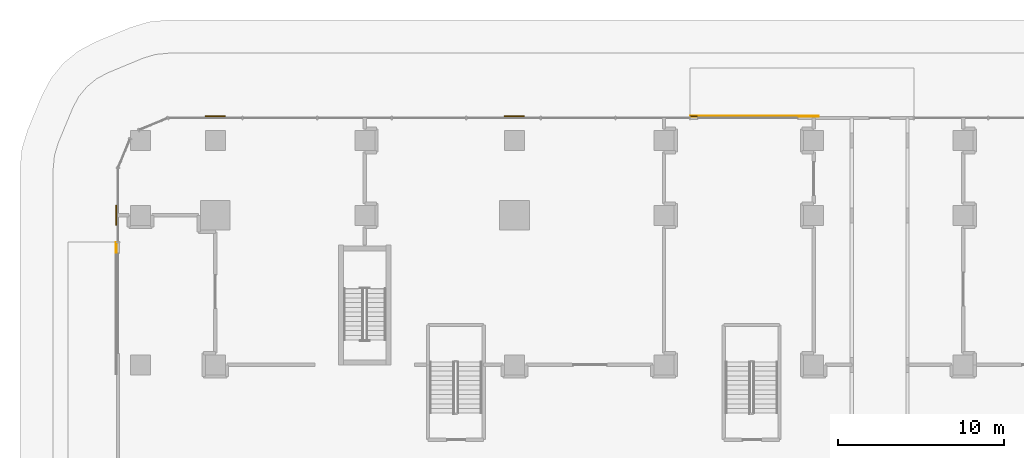
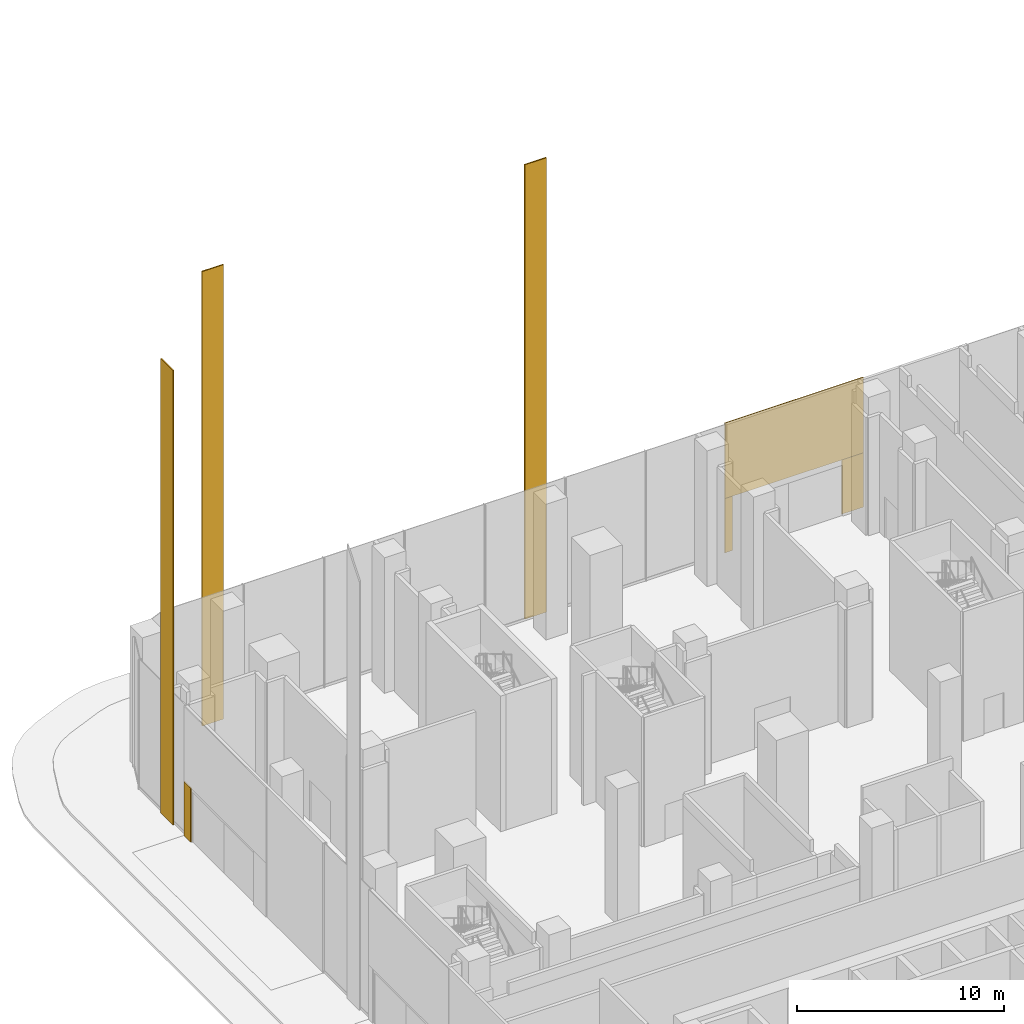
# One storey, part 39 of 42: 7 coverings.
"""IFC4 building model written with IfcOpenShell, lengths in metres."""

from ifc_helpers import new_model, si_unit, direction, frame, origin, origin_2d, place, context, subcontext, project, spatial, rectangle, extrude, material, layer, layer_set, type_object, element, save


model = new_model("IFC4")

# Units and contexts
model_context = context("Model", 3, precision=1e-05, world=origin(), true_north=direction((0.0, 1.0)))
body_context = subcontext(model_context, "Body", "Model", "MODEL_VIEW")
ifc_project = project(units=[si_unit("LENGTHUNIT", "METRE"), si_unit("AREAUNIT", "SQUARE_METRE"), si_unit("VOLUMEUNIT", "CUBIC_METRE"), si_unit("PLANEANGLEUNIT", "RADIAN"), si_unit("MASSUNIT", "GRAM", prefix="KILO")], contexts=[model_context])

# Site, building, storey
site_placement = place(None, origin())
site = spatial("IfcSite", under=ifc_project, at=site_placement, CompositionType="ELEMENT")
building_placement = place(site_placement, origin())
building = spatial("IfcBuilding", under=site, at=building_placement, Name="Plateau Cross Towers", CompositionType="ELEMENT")
storey_placement = place(building_placement, origin())
storey = spatial("IfcBuildingStorey", under=building, at=storey_placement, Name="L00", CompositionType="ELEMENT", Elevation=0.0)

# Coverings
ifc_material = material(Name="Aluminium composite cladding", Category="aluminium")
ifc_layer_1 = layer(ifc_material, 0.050048828125)
ifc_layer_set_1 = layer_set([ifc_layer_1], Name="Aluminium composite cladding")
covering_type_1 = type_object("IfcCoveringType", Name="Entrance surround board 50", PredefinedType="CLADDING", material=ifc_layer_set_1)
covering_1_placement = place(storey_placement, frame((32.42822265625, 59.955078125, 3.2001953125), z_axis=(0.0, 0.0, 1.0), x_axis=(-1.0, 0.0, 0.0)))
element("IfcCovering", 1, at=covering_1_placement, inside=storey, type_object=covering_type_1, Name="Entrance station-N1 head fascia", PredefinedType="CLADDING", context=body_context, shape_type="SweptSolid", body=[
    extrude(rectangle(XDim=7.731201171875, YDim=0.050048828125, at=origin_2d()), origin(), (0.0, 0.0, 1.0), 4.449951171875),
])
covering_2_placement = place(storey_placement, frame((35.69384765625, 59.955078125, 0.0), z_axis=(0.0, 0.0, 1.0), x_axis=(-1.0, 0.0, 0.0)))
element("IfcCovering", 2, at=covering_2_placement, inside=storey, type_object=covering_type_1, Name="Entrance station-N1 pier", PredefinedType="CLADDING", context=body_context, shape_type="SweptSolid", body=[
    extrude(rectangle(XDim=1.199951171875, YDim=0.050048828125, at=origin_2d()), origin(), (0.0, 0.0, 1.0), 3.199951171875),
])
covering_3_placement = place(storey_placement, frame((28.778076171875, 59.955078125, 0.0), z_axis=(0.0, 0.0, 1.0), x_axis=(-1.0, 0.0, 0.0)))
element("IfcCovering", 3, at=covering_3_placement, inside=storey, type_object=covering_type_1, Name="Entrance station-N1 pier", PredefinedType="CLADDING", context=body_context, shape_type="SweptSolid", body=[
    extrude(rectangle(XDim=0.43115234375, YDim=0.050048828125, at=origin_2d()), origin(), (0.0, 0.0, 1.0), 3.199951171875),
])
covering_4_placement = place(storey_placement, frame((-5.955078125, 52.061279296875, 0.0), z_axis=(0.0, 0.0, 1.0), x_axis=(0.0, -1.0, 0.0)))
element("IfcCovering", 4, at=covering_4_placement, inside=storey, type_object=covering_type_1, Name="Entrance station-W2 pier", PredefinedType="CLADDING", context=body_context, shape_type="SweptSolid", body=[
    extrude(rectangle(XDim=0.6474609375, YDim=0.050048828125, at=origin_2d()), origin(), (0.0, 0.0, 1.0), 3.199951171875),
])
ifc_layer_2 = layer(ifc_material, 0.070068359375)
ifc_layer_set_2 = layer_set([ifc_layer_2], Name="Aluminium composite cladding")
covering_type_2 = type_object("IfcCoveringType", Name="Podium pier cladding 1200", PredefinedType="CLADDING", material=ifc_layer_set_2)
for number, where, z_axis, x_axis, name in (
    (5, (0.0, 59.9599609375, 0.0), (0.0, 0.0, 1.0), (-1.0, 0.0, 0.0), "Podium pier N1"),
    (6, (18.0, 59.9599609375, 0.0), (0.0, 0.0, 1.0), (-1.0, 0.0, 0.0), "Podium pier N2"),
    (7, (-5.9599609375, 54.0, 0.0), (0.0, 0.0, 1.0), (0.0, -1.0, 0.0), "Podium pier W4"),
):
    element("IfcCovering", number, at=place(storey_placement, frame(where, z_axis=z_axis, x_axis=x_axis)), inside=storey, type_object=covering_type_2, Name=name, PredefinedType="CLADDING", context=body_context, shape_type="SweptSolid", body=[
        extrude(rectangle(XDim=1.199951171875, YDim=0.070068359375, at=origin_2d()), origin(), (0.0, 0.0, 1.0), 26.800048828125),
    ])

save(model, "model.ifc")
